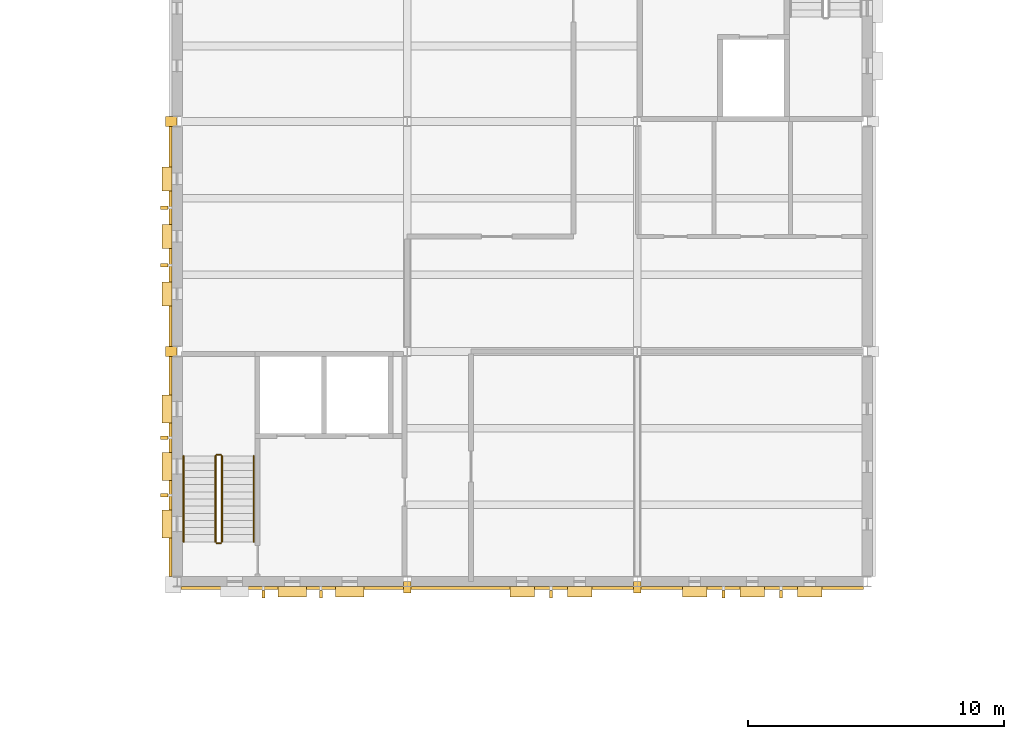
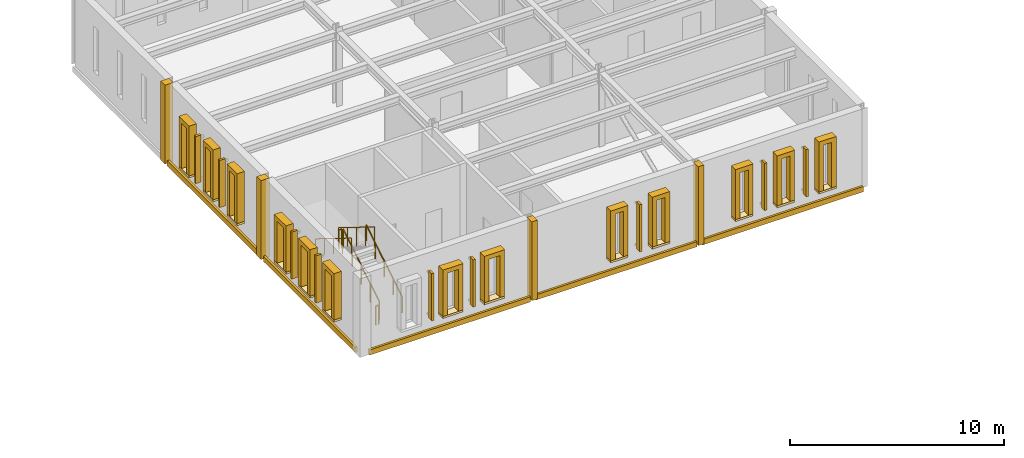
# One storey, part 90 of 111: 35 coverings, 9 shading devices, 6 railings.
"""IFC4 building model written with IfcOpenShell, lengths in metres."""

from ifc_helpers import new_model, si_unit, direction, frame, origin, origin_2d, place, context, subcontext, project, spatial, polyline, rectangle, circle, outline, extrude, material, layer, layer_set, type_object, element, save


model = new_model("IFC4")

# Units and contexts
model_context = context("Model", 3, precision=1e-05, world=origin(), true_north=direction((0.0, 1.0)))
body_context = subcontext(model_context, "Body", "Model", "MODEL_VIEW")
ifc_project = project(units=[si_unit("LENGTHUNIT", "METRE"), si_unit("AREAUNIT", "SQUARE_METRE"), si_unit("VOLUMEUNIT", "CUBIC_METRE"), si_unit("PLANEANGLEUNIT", "RADIAN"), si_unit("MASSUNIT", "GRAM", prefix="KILO")], contexts=[model_context])

# Site, building, storey
site_placement = place(None, origin())
site = spatial("IfcSite", under=ifc_project, at=site_placement, CompositionType="ELEMENT")
building_placement = place(site_placement, origin())
building = spatial("IfcBuilding", under=site, at=building_placement, Name="Kallimachos Central Library", CompositionType="ELEMENT")
storey_placement = place(building_placement, frame((0.0, 0.0, 14.39990234375)))
storey = spatial("IfcBuildingStorey", under=building, at=storey_placement, Name="L03", CompositionType="ELEMENT", Elevation=14.39990234375)

# Railings
ifc_material_1 = material(Name="Steel S355J2", Category="steel")
railing_type_1 = type_object("IfcRailingType", Name="Stair handrail 900", PredefinedType="HANDRAIL", material=ifc_material_1)
railing_1_placement = place(storey_placement, frame((77.5, 19.550048828125, 0.173095703125)))
element("IfcRailing", 1, at=railing_1_placement, inside=storey, type_object=railing_type_1, Name="L03 ST13 stair handrail 1", PredefinedType="HANDRAIL", context=body_context, shape_type="SweptSolid", body=[
    extrude(circle(Radius=0.02392578125, at=origin_2d()), frame((0.0, 0.0, 0.8759765625), z_axis=(0.0, 0.850606129759, 0.525803396734), x_axis=(-1.0, 0.0, 0.0)), (0.0, 0.0, 1.0), 3.949951171875),
    extrude(circle(Radius=0.02099609375, at=origin_2d()), origin(), (0.0, 0.0, 1.0), 0.851806640625),
    extrude(circle(Radius=0.02099609375, at=origin_2d()), frame((0.0, 0.83984375, 0.519287109375)), (0.0, 0.0, 1.0), 0.851806640625),
    extrude(circle(Radius=0.02099609375, at=origin_2d()), frame((0.0, 1.679931640625, 1.03857421875)), (0.0, 0.0, 1.0), 0.851806640625),
    extrude(circle(Radius=0.02099609375, at=origin_2d()), frame((0.0, 2.52001953125, 1.5576171875)), (0.0, 0.0, 1.0), 0.851806640625),
    extrude(circle(Radius=0.02099609375, at=origin_2d()), frame((0.0, 3.35986328125, 2.076904296875)), (0.0, 0.0, 1.0), 0.851806640625),
])
railing_2_placement = place(storey_placement, frame((74.75, 22.909912109375, 2.423095703125)))
element("IfcRailing", 2, at=railing_2_placement, inside=storey, type_object=railing_type_1, Name="L03 ST13 stair handrail 2", PredefinedType="HANDRAIL", context=body_context, shape_type="SweptSolid", body=[
    extrude(circle(Radius=0.02392578125, at=origin_2d()), frame((0.0, 0.0, 0.8759765625), z_axis=(0.0, -0.850606129759, 0.525803396734), x_axis=(1.0, 0.0, 0.0)), (0.0, 0.0, 1.0), 3.949951171875),
    extrude(circle(Radius=0.02099609375, at=origin_2d()), origin(), (0.0, 0.0, 1.0), 0.851806640625),
    extrude(circle(Radius=0.02099609375, at=origin_2d()), frame((0.0, -0.83984375, 0.519287109375)), (0.0, 0.0, 1.0), 0.851806640625),
    extrude(circle(Radius=0.02099609375, at=origin_2d()), frame((0.0, -1.679931640625, 1.03857421875)), (0.0, 0.0, 1.0), 0.851806640625),
    extrude(circle(Radius=0.02099609375, at=origin_2d()), frame((0.0, -2.52001953125, 1.5576171875)), (0.0, 0.0, 1.0), 0.851806640625),
    extrude(circle(Radius=0.02099609375, at=origin_2d()), frame((0.0, -3.35986328125, 2.076904296875)), (0.0, 0.0, 1.0), 0.851806640625),
])

# Coverings
ifc_material_2 = material(Name="Pentelic marble pilaster", Category="masonry")
ifc_layer_1 = layer(ifc_material_2, 0.25)
ifc_layer_set_1 = layer_set([ifc_layer_1], Name="Stone pilaster 250")
covering_type_1 = type_object("IfcCoveringType", Name="Stone pilaster 250", PredefinedType="CLADDING", material=ifc_layer_set_1)
for number, where, z_axis, x_axis, name in (
    (3, (83.5, 17.77490234375, 0.0), (0.0, 0.0, 1.0), (1.0, 0.0, 0.0), "Stone pilaster 250 -L03-010"),
    (4, (92.5, 17.77490234375, 0.0), (0.0, 0.0, 1.0), (1.0, 0.0, 0.0), "Stone pilaster 250 -L03-011"),
):
    element("IfcCovering", number, at=place(storey_placement, frame(where, z_axis=z_axis, x_axis=x_axis)), inside=storey, type_object=covering_type_1, Name=name, PredefinedType="CLADDING", context=body_context, shape_type="SweptSolid", body=[
        extrude(rectangle(XDim=0.300048828125, YDim=0.449951171875, at=origin_2d()), origin(), (0.0, 0.0, 1.0), 4.5),
    ])
for number, where, z_axis, x_axis, name in (
    (5, (74.27490234375, 27.0, 0.0), (0.0, 0.0, 1.0), (1.0, 0.0, 0.0), "Stone pilaster 250 -L03-016"),
    (6, (74.27490234375, 36.0, 0.0), (0.0, 0.0, 1.0), (1.0, 0.0, 0.0), "Stone pilaster 250 -L03-017"),
):
    element("IfcCovering", number, at=place(storey_placement, frame(where, z_axis=z_axis, x_axis=x_axis)), inside=storey, type_object=covering_type_1, Name=name, PredefinedType="CLADDING", context=body_context, shape_type="SweptSolid", body=[
        extrude(rectangle(XDim=0.449951171875, YDim=0.39990234375, at=origin_2d()), origin(), (0.0, 0.0, 1.0), 4.5),
    ])
ifc_material_3 = material(Name="Pentelic marble string course", Category="masonry")
ifc_layer_2 = layer(ifc_material_3, 0.1201171875)
ifc_layer_set_2 = layer_set([ifc_layer_2], Name="Stone string course 300")
covering_type_2 = type_object("IfcCoveringType", Name="Stone string course 300", PredefinedType="MOLDING", material=ifc_layer_set_2)
for number, where, z_axis, x_axis, name in (
    (7, (79.0, 17.739990234375, -0.14990234375), (0.0, 0.0, 1.0), (1.0, 0.0, 0.0), "Stone string course 300 -L03-010"),
    (8, (88.0, 17.739990234375, -0.14990234375), (0.0, 0.0, 1.0), (1.0, 0.0, 0.0), "Stone string course 300 -L03-011"),
    (9, (97.0, 17.739990234375, -0.14990234375), (0.0, 0.0, 1.0), (1.0, 0.0, 0.0), "Stone string course 300 -L03-012"),
):
    element("IfcCovering", number, at=place(storey_placement, frame(where, z_axis=z_axis, x_axis=x_axis)), inside=storey, type_object=covering_type_2, Name=name, PredefinedType="MOLDING", context=body_context, shape_type="SweptSolid", body=[
        extrude(rectangle(XDim=8.699951171875, YDim=0.1201171875, at=origin_2d()), origin(), (0.0, 0.0, 1.0), 0.300048828125),
    ])
for number, where, z_axis, x_axis, name in (
    (10, (74.239990234375, 22.5, -0.14990234375), (0.0, 0.0, 1.0), (1.0, 0.0, 0.0), "Stone string course 300 -L03-016"),
    (11, (74.239990234375, 31.5, -0.14990234375), (0.0, 0.0, 1.0), (1.0, 0.0, 0.0), "Stone string course 300 -L03-017"),
):
    element("IfcCovering", number, at=place(storey_placement, frame(where, z_axis=z_axis, x_axis=x_axis)), inside=storey, type_object=covering_type_2, Name=name, PredefinedType="MOLDING", context=body_context, shape_type="SweptSolid", body=[
        extrude(rectangle(XDim=0.1201171875, YDim=8.60009765625, at=origin_2d()), origin(), (0.0, 0.0, 1.0), 0.300048828125),
    ])

# Shading devices
ifc_material_4 = material(Name="Pentelic marble fin", Category="masonry")
ifc_layer_3 = layer(ifc_material_4, 0.1201171875)
ifc_layer_set_3 = layer_set([ifc_layer_3], Name="Stone sun-shade fin 120")
shading_device_type = type_object("IfcShadingDeviceType", Name="Stone sun-shade fin 120", PredefinedType="USERDEFINED", material=ifc_layer_set_3)
for number, where, z_axis, x_axis, name in (
    (12, (77.875, 17.5, 0.89990234375), (0.0, 0.0, 1.0), (1.0, 0.0, 0.0), "Stone sun-shade fin 120 -L03-010"),
    (13, (80.125, 17.5, 0.89990234375), (0.0, 0.0, 1.0), (1.0, 0.0, 0.0), "Stone sun-shade fin 120 -L03-010"),
    (14, (89.125, 17.5, 0.89990234375), (0.0, 0.0, 1.0), (1.0, 0.0, 0.0), "Stone sun-shade fin 120 -L03-011"),
    (15, (95.875, 17.5, 0.89990234375), (0.0, 0.0, 1.0), (1.0, 0.0, 0.0), "Stone sun-shade fin 120 -L03-012"),
    (16, (98.125, 17.5, 0.89990234375), (0.0, 0.0, 1.0), (1.0, 0.0, 0.0), "Stone sun-shade fin 120 -L03-012"),
):
    element("IfcShadingDevice", number, at=place(storey_placement, frame(where, z_axis=z_axis, x_axis=x_axis)), inside=storey, type_object=shading_device_type, Name=name, ObjectType="FIN", PredefinedType="USERDEFINED", context=body_context, shape_type="SweptSolid", body=[
        extrude(rectangle(XDim=0.1201171875, YDim=0.300048828125, at=origin_2d()), origin(), (0.0, 0.0, 1.0), 2.699951171875),
    ])
for number, where, z_axis, x_axis, name in (
    (17, (74.0, 21.375, 0.89990234375), (0.0, 0.0, 1.0), (1.0, 0.0, 0.0), "Stone sun-shade fin 120 -L03-016"),
    (18, (74.0, 23.625, 0.89990234375), (0.0, 0.0, 1.0), (1.0, 0.0, 0.0), "Stone sun-shade fin 120 -L03-016"),
    (19, (74.0, 30.375, 0.89990234375), (0.0, 0.0, 1.0), (1.0, 0.0, 0.0), "Stone sun-shade fin 120 -L03-017"),
    (20, (74.0, 32.625, 0.89990234375), (0.0, 0.0, 1.0), (1.0, 0.0, 0.0), "Stone sun-shade fin 120 -L03-017"),
):
    element("IfcShadingDevice", number, at=place(storey_placement, frame(where, z_axis=z_axis, x_axis=x_axis)), inside=storey, type_object=shading_device_type, Name=name, ObjectType="FIN", PredefinedType="USERDEFINED", context=body_context, shape_type="SweptSolid", body=[
        extrude(rectangle(XDim=0.300048828125, YDim=0.1201171875, at=origin_2d()), origin(), (0.0, 0.0, 1.0), 2.699951171875),
    ])

# Coverings
ifc_material_5 = material(Name="Pentelic marble window sill", Category="masonry")
ifc_layer_4 = layer(ifc_material_5, 0.39990234375)
ifc_layer_set_4 = layer_set([ifc_layer_4], Name="Tower window sill block 400")
covering_type_3 = type_object("IfcCoveringType", Name="Tower window sill block 400", PredefinedType="MOLDING", material=ifc_layer_set_4)
for number, where, z_axis, x_axis, name in (
    (21, (79.0, 17.60009765625, 0.780029296875), (0.0, 0.0, 1.0), (1.0, 0.0, 0.0), "Tower window sill block"),
    (22, (81.25, 17.60009765625, 0.780029296875), (0.0, 0.0, 1.0), (1.0, 0.0, 0.0), "Tower window sill block"),
):
    element("IfcCovering", number, at=place(storey_placement, frame(where, z_axis=z_axis, x_axis=x_axis)), inside=storey, type_object=covering_type_3, Name=name, PredefinedType="MOLDING", context=body_context, shape_type="SweptSolid", body=[
        extrude(rectangle(XDim=1.10009765625, YDim=0.39990234375, at=origin_2d()), origin(), (0.0, 0.0, 1.0), 0.1201171875),
    ])
for number, where, z_axis, x_axis, name in (
    (23, (88.0, 17.60009765625, 0.780029296875), (0.0, 0.0, 1.0), (1.0, 0.0, 0.0), "Tower window sill block"),
    (24, (90.25, 17.60009765625, 0.780029296875), (0.0, 0.0, 1.0), (1.0, 0.0, 0.0), "Tower window sill block"),
    (25, (94.75, 17.60009765625, 0.780029296875), (0.0, 0.0, 1.0), (1.0, 0.0, 0.0), "Tower window sill block"),
    (26, (97.0, 17.60009765625, 0.780029296875), (0.0, 0.0, 1.0), (1.0, 0.0, 0.0), "Tower window sill block"),
    (27, (99.25, 17.60009765625, 0.780029296875), (0.0, 0.0, 1.0), (1.0, 0.0, 0.0), "Tower window sill block"),
):
    element("IfcCovering", number, at=place(storey_placement, frame(where, z_axis=z_axis, x_axis=x_axis)), inside=storey, type_object=covering_type_3, Name=name, PredefinedType="MOLDING", context=body_context, shape_type="SweptSolid", body=[
        extrude(rectangle(XDim=0.949951171875, YDim=0.39990234375, at=origin_2d()), origin(), (0.0, 0.0, 1.0), 0.1201171875),
    ])
for number, where, z_axis, x_axis, name in (
    (28, (74.10009765625, 20.25, 0.780029296875), (0.0, 0.0, 1.0), (1.0, 0.0, 0.0), "Tower window sill block"),
    (29, (74.10009765625, 22.5, 0.780029296875), (0.0, 0.0, 1.0), (1.0, 0.0, 0.0), "Tower window sill block"),
    (30, (74.10009765625, 24.75, 0.780029296875), (0.0, 0.0, 1.0), (1.0, 0.0, 0.0), "Tower window sill block"),
):
    element("IfcCovering", number, at=place(storey_placement, frame(where, z_axis=z_axis, x_axis=x_axis)), inside=storey, type_object=covering_type_3, Name=name, PredefinedType="MOLDING", context=body_context, shape_type="SweptSolid", body=[
        extrude(rectangle(XDim=0.39990234375, YDim=1.10009765625, at=origin_2d()), origin(), (0.0, 0.0, 1.0), 0.1201171875),
    ])
for number, where, z_axis, x_axis, name in (
    (31, (74.10009765625, 29.25, 0.780029296875), (0.0, 0.0, 1.0), (1.0, 0.0, 0.0), "Tower window sill block"),
    (32, (74.10009765625, 31.5, 0.780029296875), (0.0, 0.0, 1.0), (1.0, 0.0, 0.0), "Tower window sill block"),
    (33, (74.10009765625, 33.75, 0.780029296875), (0.0, 0.0, 1.0), (1.0, 0.0, 0.0), "Tower window sill block"),
):
    element("IfcCovering", number, at=place(storey_placement, frame(where, z_axis=z_axis, x_axis=x_axis)), inside=storey, type_object=covering_type_3, Name=name, PredefinedType="MOLDING", context=body_context, shape_type="SweptSolid", body=[
        extrude(rectangle(XDim=0.39990234375, YDim=0.949951171875, at=origin_2d()), origin(), (0.0, 0.0, 1.0), 0.1201171875),
    ])
ifc_material_6 = material(Name="Pentelic marble window surround", Category="masonry")
ifc_layer_5 = layer(ifc_material_6, 0.39990234375)
ifc_layer_set_5 = layer_set([ifc_layer_5], Name="Tower window surround 400")
covering_type_4 = type_object("IfcCoveringType", Name="Tower window surround 400", PredefinedType="MOLDING", material=ifc_layer_set_5)
for number, where, z_axis, x_axis, name in (
    (34, (78.699951171875, 17.39990234375, 0.900146484375), (0.0, -1.0, 0.0), (0.0, 0.0, 1.0), "Tower window surround -WIN-L03-002"),
    (35, (80.949951171875, 17.39990234375, 0.900146484375), (0.0, -1.0, 0.0), (0.0, 0.0, 1.0), "Tower window surround -WIN-L03-003"),
):
    element("IfcCovering", number, at=place(storey_placement, frame(where, z_axis=z_axis, x_axis=x_axis)), inside=storey, type_object=covering_type_4, Name=name, PredefinedType="MOLDING", context=body_context, shape_type="SweptSolid", body=[
        extrude(outline(polyline([(0.0, 0.0), (2.39990234375, 0.0), (2.39990234375, -0.60009765625), (0.0, -0.60009765625), (0.0, -0.85009765625), (2.64990234375, -0.85009765625), (2.64990234375, 0.25), (0.0, 0.25), (0.0, 0.0)])), origin(), (0.0, 0.0, -1.0), 0.39990234375),
    ])
for number, where, z_axis, x_axis, name in (
    (36, (87.77490234375, 17.39990234375, 0.900146484375), (0.0, -1.0, 0.0), (0.0, 0.0, 1.0), "Tower window surround -WIN-L03-004"),
    (37, (90.02490234375, 17.39990234375, 0.900146484375), (0.0, -1.0, 0.0), (0.0, 0.0, 1.0), "Tower window surround -WIN-L03-005"),
    (38, (94.52490234375, 17.39990234375, 0.900146484375), (0.0, -1.0, 0.0), (0.0, 0.0, 1.0), "Tower window surround -WIN-L03-006"),
    (39, (96.77490234375, 17.39990234375, 0.900146484375), (0.0, -1.0, 0.0), (0.0, 0.0, 1.0), "Tower window surround -WIN-L03-007"),
    (40, (99.02490234375, 17.39990234375, 0.900146484375), (0.0, -1.0, 0.0), (0.0, 0.0, 1.0), "Tower window surround -WIN-L03-008"),
):
    element("IfcCovering", number, at=place(storey_placement, frame(where, z_axis=z_axis, x_axis=x_axis)), inside=storey, type_object=covering_type_4, Name=name, PredefinedType="MOLDING", context=body_context, shape_type="SweptSolid", body=[
        extrude(outline(polyline([(0.0, 0.0), (2.599853515625, 0.0), (2.599853515625, -0.4501953125), (0.0, -0.4501953125), (0.0, -0.7001953125), (2.849853515625, -0.7001953125), (2.849853515625, 0.25), (0.0, 0.25), (0.0, 0.0)])), origin(), (0.0, 0.0, -1.0), 0.39990234375),
    ])
for number, where, z_axis, x_axis, name in (
    (41, (73.89990234375, 19.699951171875, 0.900146484375), (-1.0, 0.0, 0.0), (0.0, 0.0, 1.0), "Tower window surround -WIN-L03-017"),
    (42, (73.89990234375, 21.949951171875, 0.900146484375), (-1.0, 0.0, 0.0), (0.0, 0.0, 1.0), "Tower window surround -WIN-L03-018"),
    (43, (73.89990234375, 24.199951171875, 0.900146484375), (-1.0, 0.0, 0.0), (0.0, 0.0, 1.0), "Tower window surround -WIN-L03-019"),
):
    element("IfcCovering", number, at=place(storey_placement, frame(where, z_axis=z_axis, x_axis=x_axis)), inside=storey, type_object=covering_type_4, Name=name, PredefinedType="MOLDING", context=body_context, shape_type="SweptSolid", body=[
        extrude(outline(polyline([(0.0, 0.0), (2.64990234375, 0.0), (2.64990234375, 1.10009765625), (0.0, 1.10009765625), (0.0, 0.85009765625), (2.39990234375, 0.85009765625), (2.39990234375, 0.25), (0.0, 0.25), (0.0, 0.0)])), origin(), (0.0, 0.0, -1.0), 0.39990234375),
    ])
for number, where, z_axis, x_axis, name in (
    (44, (73.89990234375, 28.77490234375, 0.900146484375), (-1.0, 0.0, 0.0), (0.0, 0.0, 1.0), "Tower window surround -WIN-L03-020"),
    (45, (73.89990234375, 31.02490234375, 0.900146484375), (-1.0, 0.0, 0.0), (0.0, 0.0, 1.0), "Tower window surround -WIN-L03-021"),
    (46, (73.89990234375, 33.27490234375, 0.900146484375), (-1.0, 0.0, 0.0), (0.0, 0.0, 1.0), "Tower window surround -WIN-L03-022"),
):
    element("IfcCovering", number, at=place(storey_placement, frame(where, z_axis=z_axis, x_axis=x_axis)), inside=storey, type_object=covering_type_4, Name=name, PredefinedType="MOLDING", context=body_context, shape_type="SweptSolid", body=[
        extrude(outline(polyline([(0.0, 0.0), (2.849853515625, 0.0), (2.849853515625, 0.9501953125), (0.0, 0.9501953125), (0.0, 0.7001953125), (2.599853515625, 0.7001953125), (2.599853515625, 0.25), (0.0, 0.25), (0.0, 0.0)])), origin(), (0.0, 0.0, -1.0), 0.39990234375),
    ])

# Railings
ifc_material_7 = material(Name="Steel S355J2", Category="steel")
railing_type_2 = type_object("IfcRailingType", Name="Wrought-iron guard 1100", PredefinedType="GUARDRAIL", material=ifc_material_7)
railing_3_placement = place(storey_placement, frame((76.25, 19.550048828125, 0.173095703125)))
element("IfcRailing", 47, at=railing_3_placement, inside=storey, type_object=railing_type_2, Name="L03 ST13 stair guard 1", PredefinedType="GUARDRAIL", context=body_context, shape_type="SweptSolid", body=[
    extrude(circle(Radius=0.02392578125, at=origin_2d()), frame((0.0, 0.0, 1.076171875), z_axis=(0.0, 0.850606129759, 0.525803396734), x_axis=(-1.0, 0.0, 0.0)), (0.0, 0.0, 1.0), 3.949951171875),
    extrude(circle(Radius=0.02099609375, at=origin_2d()), origin(), (0.0, 0.0, 1.0), 1.052001953125),
    extrude(circle(Radius=0.02099609375, at=origin_2d()), frame((0.0, 0.83984375, 0.519287109375)), (0.0, 0.0, 1.0), 1.052001953125),
    extrude(circle(Radius=0.02099609375, at=origin_2d()), frame((0.0, 1.679931640625, 1.03857421875)), (0.0, 0.0, 1.0), 1.052001953125),
    extrude(circle(Radius=0.02099609375, at=origin_2d()), frame((0.0, 2.52001953125, 1.5576171875)), (0.0, 0.0, 1.0), 1.052001953125),
    extrude(circle(Radius=0.02099609375, at=origin_2d()), frame((0.0, 3.35986328125, 2.076904296875)), (0.0, 0.0, 1.0), 1.052001953125),
])
railing_4_placement = place(storey_placement, frame((76.199951171875, 22.9599609375, 2.25)))
element("IfcRailing", 48, at=railing_4_placement, inside=storey, type_object=railing_type_2, Name="L03 ST13 stair guard 2", PredefinedType="GUARDRAIL", context=body_context, shape_type="SweptSolid", body=[
    extrude(circle(Radius=0.02392578125, at=origin_2d()), frame((0.0, 0.0, 1.076171875), z_axis=(-1.0, 0.0, 0.0), x_axis=(0.0, -1.0, 0.0)), (0.0, 0.0, 1.0), 0.14990234375),
    extrude(circle(Radius=0.02099609375, at=origin_2d()), origin(), (0.0, 0.0, 1.0), 1.052001953125),
    extrude(circle(Radius=0.02099609375, at=origin_2d()), frame((-0.14990234375, 0.0, 0.0)), (0.0, 0.0, 1.0), 1.052001953125),
])
railing_5_placement = place(storey_placement, frame((76.0, 22.909912109375, 2.423095703125)))
element("IfcRailing", 49, at=railing_5_placement, inside=storey, type_object=railing_type_2, Name="L03 ST13 stair guard 3", PredefinedType="GUARDRAIL", context=body_context, shape_type="SweptSolid", body=[
    extrude(circle(Radius=0.02392578125, at=origin_2d()), frame((0.0, 0.0, 1.076171875), z_axis=(0.0, -0.850606129759, 0.525803396734), x_axis=(1.0, 0.0, 0.0)), (0.0, 0.0, 1.0), 3.949951171875),
    extrude(circle(Radius=0.02099609375, at=origin_2d()), origin(), (0.0, 0.0, 1.0), 1.052001953125),
    extrude(circle(Radius=0.02099609375, at=origin_2d()), frame((0.0, -0.83984375, 0.519287109375)), (0.0, 0.0, 1.0), 1.052001953125),
    extrude(circle(Radius=0.02099609375, at=origin_2d()), frame((0.0, -1.679931640625, 1.03857421875)), (0.0, 0.0, 1.0), 1.052001953125),
    extrude(circle(Radius=0.02099609375, at=origin_2d()), frame((0.0, -2.52001953125, 1.5576171875)), (0.0, 0.0, 1.0), 1.052001953125),
    extrude(circle(Radius=0.02099609375, at=origin_2d()), frame((0.0, -3.35986328125, 2.076904296875)), (0.0, 0.0, 1.0), 1.052001953125),
])
railing_6_placement = place(storey_placement, frame((76.199951171875, 19.5, 0.0)))
element("IfcRailing", 50, at=railing_6_placement, inside=storey, type_object=railing_type_2, Name="L03 ST13 stair guard 4", PredefinedType="GUARDRAIL", context=body_context, shape_type="SweptSolid", body=[
    extrude(circle(Radius=0.02392578125, at=origin_2d()), frame((0.0, 0.0, 1.076171875), z_axis=(-1.0, 0.0, 0.0), x_axis=(0.0, -1.0, 0.0)), (0.0, 0.0, 1.0), 0.14990234375),
    extrude(circle(Radius=0.02099609375, at=origin_2d()), origin(), (0.0, 0.0, 1.0), 1.052001953125),
    extrude(circle(Radius=0.02099609375, at=origin_2d()), frame((-0.14990234375, 0.0, 0.0)), (0.0, 0.0, 1.0), 1.052001953125),
])

save(model, "model.ifc")
